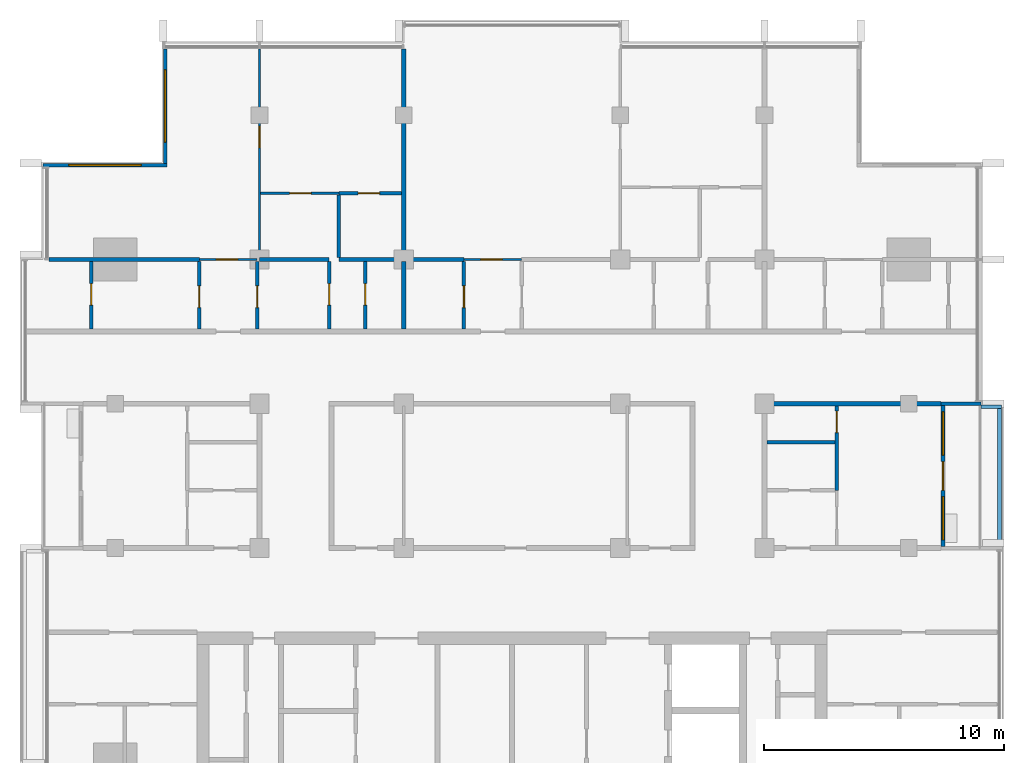
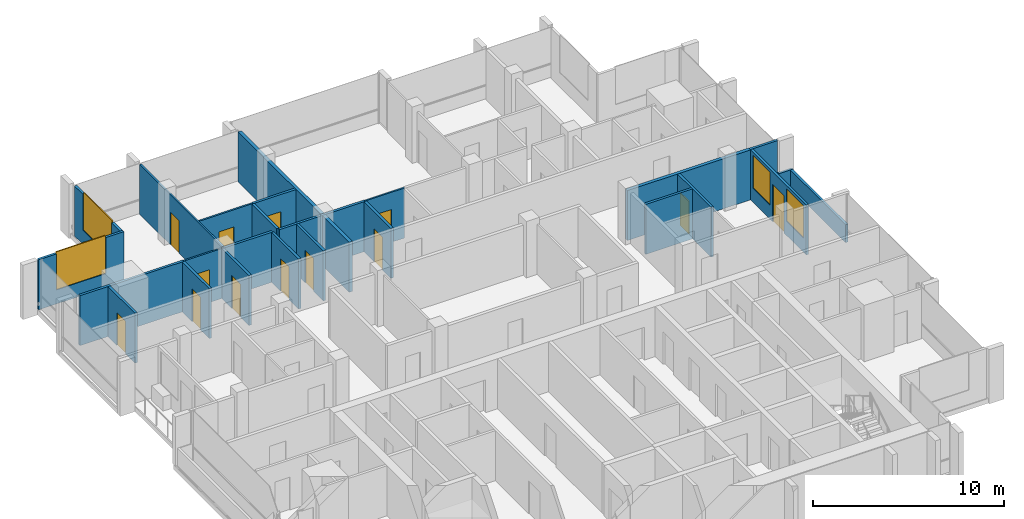
# One storey, part 10 of 16: 26 walls, 13 doors, 4 windows, 17 openings.
"""IFC4 building model written with IfcOpenShell, lengths in metres."""

from ifc_helpers import new_model, si_unit, direction, frame, frame_2d, origin, place, context, subcontext, project, spatial, rectangle, extrude, material, layer, layer_set, type_object, element, fill, save


model = new_model("IFC4")

# Units and contexts
model_context = context("Model", 3, precision=1e-05, world=origin(), true_north=direction((0.0, 1.0)))
body_context = subcontext(model_context, "Body", "Model", "MODEL_VIEW")
ifc_project = project(units=[si_unit("LENGTHUNIT", "METRE"), si_unit("AREAUNIT", "SQUARE_METRE"), si_unit("VOLUMEUNIT", "CUBIC_METRE"), si_unit("PLANEANGLEUNIT", "RADIAN"), si_unit("MASSUNIT", "GRAM", prefix="KILO")], contexts=[model_context])

# Site, building, storey
site_placement = place(None, origin())
site = spatial("IfcSite", under=ifc_project, at=site_placement, CompositionType="ELEMENT")
building_placement = place(site_placement, origin())
building = spatial("IfcBuilding", under=site, at=building_placement, Name="Finial Court Residences", CompositionType="ELEMENT")
storey_placement = place(building_placement, frame((0.0, 0.0, 295.10009765625)))
storey = spatial("IfcBuildingStorey", under=building, at=storey_placement, Name="L75", CompositionType="ELEMENT", Elevation=295.10009765625)

# Walls
ifc_material_1 = material(Name="Gypsum board")
ifc_layer_1 = layer(ifc_material_1, 0.02490234375)
ifc_material_2 = material(Name="Acoustic mineral wool in double frame")
ifc_layer_2 = layer(ifc_material_2, 0.14990234375)
ifc_layer_3 = layer(ifc_material_1, 0.02490234375)
ifc_layer_set_1 = layer_set([ifc_layer_1, ifc_layer_2, ifc_layer_3], Name="Acoustic party wall 200, 1 hour")
wall_type_1 = type_object("IfcWallType", Name="Acoustic party wall 200, 1 hour", PredefinedType="PARTITIONING", material=ifc_layer_set_1)
wall_1_placement = place(storey_placement, frame((-4.5, 4.60009765625, 0.0), z_axis=(0.0, 0.0, 1.0), x_axis=(0.0, 1.0, 0.0)))
element("IfcWall", 1, at=wall_1_placement, inside=storey, type_object=wall_type_1, Name="Partition L75-043", PredefinedType="PARTITIONING", context=body_context, shape_type="SweptSolid", body=[
    extrude(rectangle(XDim=2.824951171875, YDim=0.199951171875, at=frame_2d((1.41259765625, 0.0))), origin(), (0.0, 0.0, 1.0), 3.199951171875),
])
wall_2_placement = place(storey_placement, frame((-4.5, 7.574951171875, 0.0), z_axis=(0.0, 0.0, 1.0), x_axis=(0.0, 1.0, 0.0)))
element("IfcWall", 2, at=wall_2_placement, inside=storey, type_object=wall_type_1, Name="Partition L75-044", PredefinedType="PARTITIONING", context=body_context, shape_type="SweptSolid", body=[
    extrude(rectangle(XDim=8.6875, YDim=0.199951171875, at=frame_2d((4.34375, 0.0))), origin(), (0.0, 0.0, 1.0), 3.199951171875),
])
ifc_layer_4 = layer(ifc_material_1, 0.02490234375)
ifc_layer_5 = layer(ifc_material_2, 0.14990234375)
ifc_layer_6 = layer(ifc_material_1, 0.02490234375)
ifc_layer_set_2 = layer_set([ifc_layer_4, ifc_layer_5, ifc_layer_6], Name="Corridor wall 200, 1 hour")
wall_type_2 = type_object("IfcWallType", Name="Corridor wall 200, 1 hour", PredefinedType="PARTITIONING", material=ifc_layer_set_2)
wall_3_placement = place(storey_placement, frame((10.39990234375, 1.5, 0.0), z_axis=(0.0, 0.0, 1.0), x_axis=(1.0, 0.0, 0.0)))
element("IfcWall", 3, at=wall_3_placement, inside=storey, type_object=wall_type_2, Name="Partition L75-015", PredefinedType="PARTITIONING", context=body_context, shape_type="SweptSolid", body=[
    extrude(rectangle(XDim=7.4501953125, YDim=0.199951171875, at=frame_2d((3.72509765625, 0.0))), origin(), (0.0, 0.0, 1.0), 3.199951171875),
])

# Wall, opening, door
ifc_layer_7 = layer(ifc_material_1, 0.012451171875)
ifc_material_3 = material(Name="Mineral wool in light-gauge frame")
ifc_layer_8 = layer(ifc_material_3, 0.074951171875)
ifc_layer_9 = layer(ifc_material_1, 0.012451171875)
ifc_layer_set_3 = layer_set([ifc_layer_7, ifc_layer_8, ifc_layer_9], Name="Gypsum board partition 100")
wall_type_3 = type_object("IfcWallType", Name="Gypsum board partition 100", PredefinedType="PARTITIONING", material=ifc_layer_set_3)
wall_4_placement = place(storey_placement, frame((-13.0, 7.5, 0.0), z_axis=(0.0, 0.0, 1.0), x_axis=(1.0, 0.0, 0.0)))
wall_4 = element("IfcWall", 4, at=wall_4_placement, inside=storey, type_object=wall_type_3, Name="Partition L75-017", PredefinedType="PARTITIONING", context=body_context, shape_type="SweptSolid", body=[
    extrude(rectangle(XDim=2.39990234375, YDim=0.10009765625, at=frame_2d((1.199951171875, 0.0))), origin(), (0.0, 0.0, 1.0), 3.199951171875),
])
opening_1_placement = place(wall_4_placement, frame((0.699951171875, 0.0, 0.0)))
opening_1 = element("IfcOpeningElement", 5, at=opening_1_placement, cuts=wall_4, Name="Opening L75-D019", PredefinedType="OPENING", context=body_context, shape_type="SweptSolid", body=[
    extrude(rectangle(XDim=0.89990234375, YDim=2.10009765625, at=frame_2d((0.449951171875, 1.050048828125))), frame((0.0, 0.06005859375, 0.0), z_axis=(0.0, -1.0, 0.0), x_axis=(1.0, 0.0, 0.0)), (0.0, 0.0, 1.0), 0.1201171875),
])
ifc_material_4 = material(Name="Timber door leaf in timber frame", Category="wood")
door_type_1 = type_object("IfcDoorType", Name="Door set 900 x 2100", OperationType="SINGLE_SWING_LEFT", PredefinedType="DOOR", material=ifc_material_4)
door_1_placement = place(opening_1_placement, origin())
door_1 = element("IfcDoor", 6, at=door_1_placement, inside=storey, type_object=door_type_1, Name="Door L75-D019", OperationType="SINGLE_SWING_RIGHT", OverallHeight=2.10009765625, OverallWidth=0.89990234375, PredefinedType="DOOR", context=body_context, shape_type="SweptSolid", body=[
    extrude(rectangle(XDim=0.89990234375, YDim=2.10009765625, at=frame_2d((0.449951171875, 1.050048828125))), frame((0.0, 0.02490234375, 0.0), z_axis=(0.0, -1.0, 0.0), x_axis=(1.0, 0.0, 0.0)), (0.0, 0.0, 1.0), 0.050048828125),
])
fill(opening_1, door_1)

wall_5_placement = place(storey_placement, frame((-2.0, 7.5, 0.0), z_axis=(0.0, 0.0, 1.0), x_axis=(1.0, 0.0, 0.0)))
wall_5 = element("IfcWall", 7, at=wall_5_placement, inside=storey, type_object=wall_type_3, Name="Partition L75-018", PredefinedType="PARTITIONING", context=body_context, shape_type="SweptSolid", body=[
    extrude(rectangle(XDim=2.39990234375, YDim=0.10009765625, at=frame_2d((1.199951171875, 0.0))), origin(), (0.0, 0.0, 1.0), 3.199951171875),
])
opening_2_placement = place(wall_5_placement, frame((0.699951171875, 0.0, 0.0)))
opening_2 = element("IfcOpeningElement", 8, at=opening_2_placement, cuts=wall_5, Name="Opening L75-D020", PredefinedType="OPENING", context=body_context, shape_type="SweptSolid", body=[
    extrude(rectangle(XDim=0.89990234375, YDim=2.10009765625, at=frame_2d((0.449951171875, 1.050048828125))), frame((0.0, 0.06005859375, 0.0), z_axis=(0.0, -1.0, 0.0), x_axis=(1.0, 0.0, 0.0)), (0.0, 0.0, 1.0), 0.1201171875),
])
door_2_placement = place(opening_2_placement, origin())
door_2 = element("IfcDoor", 9, at=door_2_placement, inside=storey, type_object=door_type_1, Name="Door L75-D020", OperationType="SINGLE_SWING_LEFT", OverallHeight=2.10009765625, OverallWidth=0.89990234375, PredefinedType="DOOR", context=body_context, shape_type="SweptSolid", body=[
    extrude(rectangle(XDim=0.89990234375, YDim=2.10009765625, at=frame_2d((0.449951171875, 1.050048828125))), frame((0.0, 0.02490234375, 0.0), z_axis=(0.0, -1.0, 0.0), x_axis=(1.0, 0.0, 0.0)), (0.0, 0.0, 1.0), 0.050048828125),
])
fill(opening_2, door_2)

wall_6_placement = place(storey_placement, frame((-10.449951171875, 10.25, 0.0), z_axis=(0.0, 0.0, 1.0), x_axis=(1.0, 0.0, 0.0)))
wall_6 = element("IfcWall", 10, at=wall_6_placement, inside=storey, type_object=wall_type_3, Name="Partition L75-026", PredefinedType="PARTITIONING", context=body_context, shape_type="SweptSolid", body=[
    extrude(rectangle(XDim=3.25, YDim=0.10009765625, at=frame_2d((1.625, 0.0))), origin(), (0.0, 0.0, 1.0), 3.199951171875),
])
opening_3_placement = place(wall_6_placement, frame((1.199951171875, 0.0, 0.0)))
opening_3 = element("IfcOpeningElement", 11, at=opening_3_placement, cuts=wall_6, Name="Opening L75-D022", PredefinedType="OPENING", context=body_context, shape_type="SweptSolid", body=[
    extrude(rectangle(XDim=0.89990234375, YDim=2.10009765625, at=frame_2d((0.449951171875, 1.050048828125))), frame((0.0, 0.06005859375, 0.0), z_axis=(0.0, -1.0, 0.0), x_axis=(1.0, 0.0, 0.0)), (0.0, 0.0, 1.0), 0.1201171875),
])
door_3_placement = place(opening_3_placement, origin())
door_3 = element("IfcDoor", 12, at=door_3_placement, inside=storey, type_object=door_type_1, Name="Door L75-D022", OperationType="SINGLE_SWING_LEFT", OverallHeight=2.10009765625, OverallWidth=0.89990234375, PredefinedType="DOOR", context=body_context, shape_type="SweptSolid", body=[
    extrude(rectangle(XDim=0.89990234375, YDim=2.10009765625, at=frame_2d((0.449951171875, 1.050048828125))), frame((0.0, 0.02490234375, 0.0), z_axis=(0.0, -1.0, 0.0), x_axis=(1.0, 0.0, 0.0)), (0.0, 0.0, 1.0), 0.050048828125),
])
fill(opening_3, door_3)

wall_7_placement = place(storey_placement, frame((-10.5, 7.574951171875, 0.0), z_axis=(0.0, 0.0, 1.0), x_axis=(0.0, 1.0, 0.0)))
wall_7 = element("IfcWall", 13, at=wall_7_placement, inside=storey, type_object=wall_type_3, Name="Partition L75-037", PredefinedType="PARTITIONING", context=body_context, shape_type="SweptSolid", body=[
    extrude(rectangle(XDim=8.6875, YDim=0.10009765625, at=frame_2d((4.34375, 0.0))), origin(), (0.0, 0.0, 1.0), 3.199951171875),
])
opening_4_placement = place(wall_7_placement, frame((4.574951171875, 0.0, 0.0)))
opening_4 = element("IfcOpeningElement", 14, at=opening_4_placement, cuts=wall_7, Name="Opening L75-D031", PredefinedType="OPENING", context=body_context, shape_type="SweptSolid", body=[
    extrude(rectangle(XDim=0.89990234375, YDim=2.10009765625, at=frame_2d((0.449951171875, 1.050048828125))), frame((0.0, 0.06005859375, 0.0), z_axis=(0.0, -1.0, 0.0), x_axis=(1.0, 0.0, 0.0)), (0.0, 0.0, 1.0), 0.1201171875),
])
door_4_placement = place(opening_4_placement, origin())
door_4 = element("IfcDoor", 15, at=door_4_placement, inside=storey, type_object=door_type_1, Name="Door L75-D031", OperationType="SINGLE_SWING_RIGHT", OverallHeight=2.10009765625, OverallWidth=0.89990234375, PredefinedType="DOOR", context=body_context, shape_type="SweptSolid", body=[
    extrude(rectangle(XDim=0.89990234375, YDim=2.10009765625, at=frame_2d((0.449951171875, 1.050048828125))), frame((0.0, 0.02490234375, 0.0), z_axis=(0.0, -1.0, 0.0), x_axis=(1.0, 0.0, 0.0)), (0.0, 0.0, 1.0), 0.050048828125),
])
fill(opening_4, door_4)

# Walls
ifc_material_5 = material(Name="Moisture-resistant gypsum board")
ifc_layer_10 = layer(ifc_material_5, 0.012451171875)
ifc_layer_11 = layer(ifc_material_3, 0.125)
ifc_layer_12 = layer(ifc_material_5, 0.012451171875)
ifc_layer_set_4 = layer_set([ifc_layer_10, ifc_layer_11, ifc_layer_12], Name="Gypsum board wet-area partition 150")
wall_type_4 = type_object("IfcWallType", Name="Gypsum board wet-area partition 150", PredefinedType="PARTITIONING", material=ifc_layer_set_4)
wall_8_placement = place(storey_placement, frame((10.60009765625, -0.10009765625, 0.0), z_axis=(0.0, 0.0, 1.0), x_axis=(1.0, 0.0, 0.0)))
element("IfcWall", 16, at=wall_8_placement, inside=storey, type_object=wall_type_4, Name="Partition L75-012", PredefinedType="PARTITIONING", context=body_context, shape_type="SweptSolid", body=[
    extrude(rectangle(XDim=2.824951171875, YDim=0.14990234375, at=frame_2d((1.41259765625, 0.0))), origin(), (0.0, 0.0, 1.0), 3.199951171875),
])
wall_9_placement = place(storey_placement, frame((-19.262451171875, 7.5, 0.0), z_axis=(0.0, 0.0, 1.0), x_axis=(1.0, 0.0, 0.0)))
element("IfcWall", 17, at=wall_9_placement, inside=storey, type_object=wall_type_4, Name="Partition L75-020", PredefinedType="PARTITIONING", context=body_context, shape_type="SweptSolid", body=[
    extrude(rectangle(XDim=6.262451171875, YDim=0.14990234375, at=frame_2d((3.13134765625, 0.0))), origin(), (0.0, 0.0, 1.0), 3.199951171875),
])
wall_10_placement = place(storey_placement, frame((-10.5, 7.5, 0.0), z_axis=(0.0, 0.0, 1.0), x_axis=(1.0, 0.0, 0.0)))
element("IfcWall", 18, at=wall_10_placement, inside=storey, type_object=wall_type_4, Name="Partition L75-021", PredefinedType="PARTITIONING", context=body_context, shape_type="SweptSolid", body=[
    extrude(rectangle(XDim=2.89990234375, YDim=0.14990234375, at=frame_2d((1.449951171875, 0.0))), origin(), (0.0, 0.0, 1.0), 3.199951171875),
])
wall_11_placement = place(storey_placement, frame((-7.199951171875, 7.5, 0.0), z_axis=(0.0, 0.0, 1.0), x_axis=(1.0, 0.0, 0.0)))
element("IfcWall", 19, at=wall_11_placement, inside=storey, type_object=wall_type_4, Name="Partition L75-022", PredefinedType="PARTITIONING", context=body_context, shape_type="SweptSolid", body=[
    extrude(rectangle(XDim=5.199951171875, YDim=0.14990234375, at=frame_2d((2.60009765625, 0.0))), origin(), (0.0, 0.0, 1.0), 3.199951171875),
])

# Wall, opening, door
wall_12_placement = place(storey_placement, frame((-7.199951171875, 10.25, 0.0), z_axis=(0.0, 0.0, 1.0), x_axis=(1.0, 0.0, 0.0)))
wall_12 = element("IfcWall", 20, at=wall_12_placement, inside=storey, type_object=wall_type_4, Name="Partition L75-027", PredefinedType="PARTITIONING", context=body_context, shape_type="SweptSolid", body=[
    extrude(rectangle(XDim=2.599853515625, YDim=0.14990234375, at=frame_2d((1.2998046875, 0.0))), origin(), (0.0, 0.0, 1.0), 3.199951171875),
])
opening_5_placement = place(wall_12_placement, frame((0.800048828125, 0.0, 0.0)))
opening_5 = element("IfcOpeningElement", 21, at=opening_5_placement, cuts=wall_12, Name="Opening L75-D023", PredefinedType="OPENING", context=body_context, shape_type="SweptSolid", body=[
    extrude(rectangle(XDim=0.89990234375, YDim=2.10009765625, at=frame_2d((0.449951171875, 1.050048828125))), frame((0.0, 0.0849609375, 0.0), z_axis=(0.0, -1.0, 0.0), x_axis=(1.0, 0.0, 0.0)), (0.0, 0.0, 1.0), 0.169921875),
])
door_5_placement = place(opening_5_placement, origin())
door_5 = element("IfcDoor", 22, at=door_5_placement, inside=storey, type_object=door_type_1, Name="Door L75-D023", OperationType="SINGLE_SWING_LEFT", OverallHeight=2.10009765625, OverallWidth=0.89990234375, PredefinedType="DOOR", context=body_context, shape_type="SweptSolid", body=[
    extrude(rectangle(XDim=0.89990234375, YDim=2.10009765625, at=frame_2d((0.449951171875, 1.050048828125))), frame((0.0, 0.02490234375, 0.0), z_axis=(0.0, -1.0, 0.0), x_axis=(1.0, 0.0, 0.0)), (0.0, 0.0, 1.0), 0.050048828125),
])
fill(opening_5, door_5)

wall_13_placement = place(storey_placement, frame((-17.5, 4.60009765625, 0.0), z_axis=(0.0, 0.0, 1.0), x_axis=(0.0, 1.0, 0.0)))
wall_13 = element("IfcWall", 23, at=wall_13_placement, inside=storey, type_object=wall_type_4, Name="Partition L75-030", PredefinedType="PARTITIONING", context=body_context, shape_type="SweptSolid", body=[
    extrude(rectangle(XDim=2.824951171875, YDim=0.14990234375, at=frame_2d((1.41259765625, 0.0))), origin(), (0.0, 0.0, 1.0), 3.199951171875),
])
opening_6_placement = place(wall_13_placement, frame((1.0, 0.0, 0.0)))
opening_6 = element("IfcOpeningElement", 24, at=opening_6_placement, cuts=wall_13, Name="Opening L75-D026", PredefinedType="OPENING", context=body_context, shape_type="SweptSolid", body=[
    extrude(rectangle(XDim=0.89990234375, YDim=2.10009765625, at=frame_2d((0.449951171875, 1.050048828125))), frame((0.0, 0.0849609375, 0.0), z_axis=(0.0, -1.0, 0.0), x_axis=(1.0, 0.0, 0.0)), (0.0, 0.0, 1.0), 0.169921875),
])
door_6_placement = place(opening_6_placement, origin())
door_6 = element("IfcDoor", 25, at=door_6_placement, inside=storey, type_object=door_type_1, Name="Door L75-D026", OperationType="SINGLE_SWING_RIGHT", OverallHeight=2.10009765625, OverallWidth=0.89990234375, PredefinedType="DOOR", context=body_context, shape_type="SweptSolid", body=[
    extrude(rectangle(XDim=0.89990234375, YDim=2.10009765625, at=frame_2d((0.449951171875, 1.050048828125))), frame((0.0, 0.02490234375, 0.0), z_axis=(0.0, -1.0, 0.0), x_axis=(1.0, 0.0, 0.0)), (0.0, 0.0, 1.0), 0.050048828125),
])
fill(opening_6, door_6)

wall_14_placement = place(storey_placement, frame((-13.0, 4.60009765625, 0.0), z_axis=(0.0, 0.0, 1.0), x_axis=(0.0, 1.0, 0.0)))
wall_14 = element("IfcWall", 26, at=wall_14_placement, inside=storey, type_object=wall_type_4, Name="Partition L75-034", PredefinedType="PARTITIONING", context=body_context, shape_type="SweptSolid", body=[
    extrude(rectangle(XDim=2.824951171875, YDim=0.14990234375, at=frame_2d((1.41259765625, 0.0))), origin(), (0.0, 0.0, 1.0), 3.199951171875),
])
opening_7_placement = place(wall_14_placement, frame((0.89990234375, 0.0, 0.0)))
opening_7 = element("IfcOpeningElement", 27, at=opening_7_placement, cuts=wall_14, Name="Opening L75-D029", PredefinedType="OPENING", context=body_context, shape_type="SweptSolid", body=[
    extrude(rectangle(XDim=0.89990234375, YDim=2.10009765625, at=frame_2d((0.449951171875, 1.050048828125))), frame((0.0, 0.0849609375, 0.0), z_axis=(0.0, -1.0, 0.0), x_axis=(1.0, 0.0, 0.0)), (0.0, 0.0, 1.0), 0.169921875),
])
door_7_placement = place(opening_7_placement, origin())
door_7 = element("IfcDoor", 28, at=door_7_placement, inside=storey, type_object=door_type_1, Name="Door L75-D029", OperationType="SINGLE_SWING_RIGHT", OverallHeight=2.10009765625, OverallWidth=0.89990234375, PredefinedType="DOOR", context=body_context, shape_type="SweptSolid", body=[
    extrude(rectangle(XDim=0.89990234375, YDim=2.10009765625, at=frame_2d((0.449951171875, 1.050048828125))), frame((0.0, 0.02490234375, 0.0), z_axis=(0.0, -1.0, 0.0), x_axis=(1.0, 0.0, 0.0)), (0.0, 0.0, 1.0), 0.050048828125),
])
fill(opening_7, door_7)

wall_15_placement = place(storey_placement, frame((-10.60009765625, 4.60009765625, 0.0), z_axis=(0.0, 0.0, 1.0), x_axis=(0.0, 1.0, 0.0)))
wall_15 = element("IfcWall", 29, at=wall_15_placement, inside=storey, type_object=wall_type_4, Name="Partition L75-035", PredefinedType="PARTITIONING", context=body_context, shape_type="SweptSolid", body=[
    extrude(rectangle(XDim=2.824951171875, YDim=0.14990234375, at=frame_2d((1.41259765625, 0.0))), origin(), (0.0, 0.0, 1.0), 3.199951171875),
])
opening_8_placement = place(wall_15_placement, frame((0.89990234375, 0.0, 0.0)))
opening_8 = element("IfcOpeningElement", 30, at=opening_8_placement, cuts=wall_15, Name="Opening L75-D030", PredefinedType="OPENING", context=body_context, shape_type="SweptSolid", body=[
    extrude(rectangle(XDim=0.89990234375, YDim=2.10009765625, at=frame_2d((0.449951171875, 1.050048828125))), frame((0.0, 0.0849609375, 0.0), z_axis=(0.0, -1.0, 0.0), x_axis=(1.0, 0.0, 0.0)), (0.0, 0.0, 1.0), 0.169921875),
])
door_8_placement = place(opening_8_placement, origin())
door_8 = element("IfcDoor", 31, at=door_8_placement, inside=storey, type_object=door_type_1, Name="Door L75-D030", OperationType="SINGLE_SWING_RIGHT", OverallHeight=2.10009765625, OverallWidth=0.89990234375, PredefinedType="DOOR", context=body_context, shape_type="SweptSolid", body=[
    extrude(rectangle(XDim=0.89990234375, YDim=2.10009765625, at=frame_2d((0.449951171875, 1.050048828125))), frame((0.0, 0.02490234375, 0.0), z_axis=(0.0, -1.0, 0.0), x_axis=(1.0, 0.0, 0.0)), (0.0, 0.0, 1.0), 0.050048828125),
])
fill(opening_8, door_8)

wall_16_placement = place(storey_placement, frame((-7.60009765625, 4.60009765625, 0.0), z_axis=(0.0, 0.0, 1.0), x_axis=(0.0, 1.0, 0.0)))
wall_16 = element("IfcWall", 32, at=wall_16_placement, inside=storey, type_object=wall_type_4, Name="Partition L75-038", PredefinedType="PARTITIONING", context=body_context, shape_type="SweptSolid", body=[
    extrude(rectangle(XDim=2.824951171875, YDim=0.14990234375, at=frame_2d((1.41259765625, 0.0))), origin(), (0.0, 0.0, 1.0), 3.199951171875),
])
opening_9_placement = place(wall_16_placement, frame((1.0, 0.0, 0.0)))
opening_9 = element("IfcOpeningElement", 33, at=opening_9_placement, cuts=wall_16, Name="Opening L75-D032", PredefinedType="OPENING", context=body_context, shape_type="SweptSolid", body=[
    extrude(rectangle(XDim=0.89990234375, YDim=2.10009765625, at=frame_2d((0.449951171875, 1.050048828125))), frame((0.0, 0.0849609375, 0.0), z_axis=(0.0, -1.0, 0.0), x_axis=(1.0, 0.0, 0.0)), (0.0, 0.0, 1.0), 0.169921875),
])
door_9_placement = place(opening_9_placement, origin())
door_9 = element("IfcDoor", 34, at=door_9_placement, inside=storey, type_object=door_type_1, Name="Door L75-D032", OperationType="SINGLE_SWING_RIGHT", OverallHeight=2.10009765625, OverallWidth=0.89990234375, PredefinedType="DOOR", context=body_context, shape_type="SweptSolid", body=[
    extrude(rectangle(XDim=0.89990234375, YDim=2.10009765625, at=frame_2d((0.449951171875, 1.050048828125))), frame((0.0, 0.02490234375, 0.0), z_axis=(0.0, -1.0, 0.0), x_axis=(1.0, 0.0, 0.0)), (0.0, 0.0, 1.0), 0.050048828125),
])
fill(opening_9, door_9)

# Wall
wall_17_placement = place(storey_placement, frame((-7.199951171875, 7.574951171875, 0.0), z_axis=(0.0, 0.0, 1.0), x_axis=(0.0, 1.0, 0.0)))
element("IfcWall", 35, at=wall_17_placement, inside=storey, type_object=wall_type_4, Name="Partition L75-040", PredefinedType="PARTITIONING", context=body_context, shape_type="SweptSolid", body=[
    extrude(rectangle(XDim=2.60009765625, YDim=0.14990234375, at=frame_2d((1.300048828125, 0.0))), origin(), (0.0, 0.0, 1.0), 3.199951171875),
])

# Wall, opening, door
wall_18_placement = place(storey_placement, frame((-6.10009765625, 4.60009765625, 0.0), z_axis=(0.0, 0.0, 1.0), x_axis=(0.0, 1.0, 0.0)))
wall_18 = element("IfcWall", 36, at=wall_18_placement, inside=storey, type_object=wall_type_4, Name="Partition L75-041", PredefinedType="PARTITIONING", context=body_context, shape_type="SweptSolid", body=[
    extrude(rectangle(XDim=2.824951171875, YDim=0.14990234375, at=frame_2d((1.41259765625, 0.0))), origin(), (0.0, 0.0, 1.0), 3.199951171875),
])
opening_10_placement = place(wall_18_placement, frame((1.0, 0.0, 0.0)))
opening_10 = element("IfcOpeningElement", 37, at=opening_10_placement, cuts=wall_18, Name="Opening L75-D033", PredefinedType="OPENING", context=body_context, shape_type="SweptSolid", body=[
    extrude(rectangle(XDim=0.89990234375, YDim=2.10009765625, at=frame_2d((0.449951171875, 1.050048828125))), frame((0.0, 0.0849609375, 0.0), z_axis=(0.0, -1.0, 0.0), x_axis=(1.0, 0.0, 0.0)), (0.0, 0.0, 1.0), 0.169921875),
])
door_10_placement = place(opening_10_placement, origin())
door_10 = element("IfcDoor", 38, at=door_10_placement, inside=storey, type_object=door_type_1, Name="Door L75-D033", OperationType="SINGLE_SWING_RIGHT", OverallHeight=2.10009765625, OverallWidth=0.89990234375, PredefinedType="DOOR", context=body_context, shape_type="SweptSolid", body=[
    extrude(rectangle(XDim=0.89990234375, YDim=2.10009765625, at=frame_2d((0.449951171875, 1.050048828125))), frame((0.0, 0.02490234375, 0.0), z_axis=(0.0, -1.0, 0.0), x_axis=(1.0, 0.0, 0.0)), (0.0, 0.0, 1.0), 0.050048828125),
])
fill(opening_10, door_10)

wall_19_placement = place(storey_placement, frame((-2.0, 4.60009765625, 0.0), z_axis=(0.0, 0.0, 1.0), x_axis=(0.0, 1.0, 0.0)))
wall_19 = element("IfcWall", 39, at=wall_19_placement, inside=storey, type_object=wall_type_4, Name="Partition L75-045", PredefinedType="PARTITIONING", context=body_context, shape_type="SweptSolid", body=[
    extrude(rectangle(XDim=2.824951171875, YDim=0.14990234375, at=frame_2d((1.41259765625, 0.0))), origin(), (0.0, 0.0, 1.0), 3.199951171875),
])
opening_11_placement = place(wall_19_placement, frame((0.89990234375, 0.0, 0.0)))
opening_11 = element("IfcOpeningElement", 40, at=opening_11_placement, cuts=wall_19, Name="Opening L75-D034", PredefinedType="OPENING", context=body_context, shape_type="SweptSolid", body=[
    extrude(rectangle(XDim=0.89990234375, YDim=2.10009765625, at=frame_2d((0.449951171875, 1.050048828125))), frame((0.0, 0.0849609375, 0.0), z_axis=(0.0, -1.0, 0.0), x_axis=(1.0, 0.0, 0.0)), (0.0, 0.0, 1.0), 0.169921875),
])
door_11_placement = place(opening_11_placement, origin())
door_11 = element("IfcDoor", 41, at=door_11_placement, inside=storey, type_object=door_type_1, Name="Door L75-D034", OperationType="SINGLE_SWING_RIGHT", OverallHeight=2.10009765625, OverallWidth=0.89990234375, PredefinedType="DOOR", context=body_context, shape_type="SweptSolid", body=[
    extrude(rectangle(XDim=0.89990234375, YDim=2.10009765625, at=frame_2d((0.449951171875, 1.050048828125))), frame((0.0, 0.02490234375, 0.0), z_axis=(0.0, -1.0, 0.0), x_axis=(1.0, 0.0, 0.0)), (0.0, 0.0, 1.0), 0.050048828125),
])
fill(opening_11, door_11)

wall_20_placement = place(storey_placement, frame((13.5, -2.10009765625, 0.0), z_axis=(0.0, 0.0, 1.0), x_axis=(0.0, 1.0, 0.0)))
wall_20 = element("IfcWall", 42, at=wall_20_placement, inside=storey, type_object=wall_type_4, Name="Partition L75-058", PredefinedType="PARTITIONING", context=body_context, shape_type="SweptSolid", body=[
    extrude(rectangle(XDim=3.5, YDim=0.14990234375, at=frame_2d((1.75, 0.0))), origin(), (0.0, 0.0, 1.0), 3.199951171875),
])
opening_12_placement = place(wall_20_placement, frame((2.39990234375, 0.0, 0.0)))
opening_12 = element("IfcOpeningElement", 43, at=opening_12_placement, cuts=wall_20, Name="Opening L75-D041", PredefinedType="OPENING", context=body_context, shape_type="SweptSolid", body=[
    extrude(rectangle(XDim=0.89990234375, YDim=2.10009765625, at=frame_2d((0.449951171875, 1.050048828125))), frame((0.0, 0.0849609375, 0.0), z_axis=(0.0, -1.0, 0.0), x_axis=(1.0, 0.0, 0.0)), (0.0, 0.0, 1.0), 0.169921875),
])
door_12_placement = place(opening_12_placement, origin())
door_12 = element("IfcDoor", 44, at=door_12_placement, inside=storey, type_object=door_type_1, Name="Door L75-D041", OperationType="SINGLE_SWING_LEFT", OverallHeight=2.10009765625, OverallWidth=0.89990234375, PredefinedType="DOOR", context=body_context, shape_type="SweptSolid", body=[
    extrude(rectangle(XDim=0.89990234375, YDim=2.10009765625, at=frame_2d((0.449951171875, 1.050048828125))), frame((0.0, 0.02490234375, 0.0), z_axis=(0.0, -1.0, 0.0), x_axis=(1.0, 0.0, 0.0)), (0.0, 0.0, 1.0), 0.050048828125),
])
fill(opening_12, door_12)

# Walls
ifc_material_6 = material(Name="Concrete C35/45", Category="concrete")
ifc_layer_13 = layer(ifc_material_6, 0.14990234375)
ifc_layer_set_5 = layer_set([ifc_layer_13], Name="Ledge parapet, Concrete C35/45 150")
wall_type_5 = type_object("IfcWallType", Name="Ledge parapet, Concrete C35/45 150", PredefinedType="PARAPET", material=ifc_layer_set_5)
wall_21_placement = place(storey_placement, frame((19.510009765625, 1.375, 0.0), z_axis=(0.0, 0.0, 1.0), x_axis=(1.0, 0.0, 0.0)))
element("IfcWall", 45, at=wall_21_placement, inside=storey, type_object=wall_type_5, Name="E-L75-LED1-P1", PredefinedType="PARAPET", context=body_context, shape_type="SweptSolid", body=[
    extrude(rectangle(XDim=0.840087890625, YDim=0.14990234375, at=frame_2d((0.419921875, 0.0))), origin(), (0.0, 0.0, 1.0), 1.14990234375),
])
wall_22_placement = place(storey_placement, frame((20.27490234375, 1.300048828125, 0.0), z_axis=(0.0, 0.0, 1.0), x_axis=(0.0, -1.0, 0.0)))
element("IfcWall", 46, at=wall_22_placement, inside=storey, type_object=wall_type_5, Name="E-L75-LED1-P2", PredefinedType="PARAPET", context=body_context, shape_type="SweptSolid", body=[
    extrude(rectangle(XDim=5.7900390625, YDim=0.14990234375, at=frame_2d((2.89501953125, 0.0))), origin(), (0.0, 0.0, 1.0), 1.14990234375),
])

# Wall, opening, window
ifc_material_7 = material(Name="Natural limestone", Category="masonry")
ifc_layer_14 = layer(ifc_material_7, 0.14990234375)
ifc_layer_set_6 = layer_set([ifc_layer_14], Name="Limestone clad wall 150")
wall_type_6 = type_object("IfcWallType", Name="Limestone clad wall 150", PredefinedType="SOLIDWALL", material=ifc_layer_set_6)
wall_23_placement = place(storey_placement, frame((-14.425048828125, 11.5, 0.0), z_axis=(0.0, 0.0, 1.0), x_axis=(0.0, 1.0, 0.0)))
wall_23 = element("IfcWall", 47, at=wall_23_placement, inside=storey, type_object=wall_type_6, Name="E-L75-NWW16", PredefinedType="SOLIDWALL", context=body_context, shape_type="SweptSolid", body=[
    extrude(rectangle(XDim=4.762451171875, YDim=0.14990234375, at=frame_2d((2.38134765625, 0.0))), origin(), (0.0, 0.0, 1.0), 3.199951171875),
])
opening_13_placement = place(wall_23_placement, frame((0.881103515625, 0.0, 0.89990234375)))
opening_13 = element("IfcOpeningElement", 48, at=opening_13_placement, cuts=wall_23, Name="Opening WE75-05", PredefinedType="OPENING", context=body_context, shape_type="SweptSolid", body=[
    extrude(rectangle(XDim=3.0, YDim=2.39990234375, at=frame_2d((1.5, 1.199951171875))), frame((0.0, 0.0849609375, 0.0), z_axis=(0.0, -1.0, 0.0), x_axis=(1.0, 0.0, 0.0)), (0.0, 0.0, 1.0), 0.169921875),
])
ifc_material_8 = material(Name="Clear low-e glass", Category="glass")
window_type_1 = type_object("IfcWindowType", Name="Corner window 3000 x 2400", PartitioningType="SINGLE_PANEL", PredefinedType="WINDOW", material=ifc_material_8)
window_1_placement = place(opening_13_placement, origin())
window_1 = element("IfcWindow", 49, at=window_1_placement, inside=storey, type_object=window_type_1, Name="E-L75-NWW16-W1", OverallHeight=2.39990234375, OverallWidth=3.0, PartitioningType="SINGLE_PANEL", PredefinedType="WINDOW", context=body_context, shape_type="SweptSolid", body=[
    extrude(rectangle(XDim=3.0, YDim=2.39990234375, at=frame_2d((1.5, 1.199951171875))), frame((0.0, 0.030029296875, 0.0), z_axis=(0.0, -1.0, 0.0), x_axis=(1.0, 0.0, 0.0)), (0.0, 0.0, 1.0), 0.06005859375),
])
fill(opening_13, window_1)

wall_24_placement = place(storey_placement, frame((-19.5, 11.425048828125, 0.0), z_axis=(0.0, 0.0, 1.0), x_axis=(1.0, 0.0, 0.0)))
wall_24 = element("IfcWall", 50, at=wall_24_placement, inside=storey, type_object=wall_type_6, Name="E-L75-NWN17", PredefinedType="SOLIDWALL", context=body_context, shape_type="SweptSolid", body=[
    extrude(rectangle(XDim=5.14990234375, YDim=0.14990234375, at=frame_2d((2.574951171875, 0.0))), origin(), (0.0, 0.0, 1.0), 3.199951171875),
])
opening_14_placement = place(wall_24_placement, frame((1.074951171875, 0.0, 0.89990234375)))
opening_14 = element("IfcOpeningElement", 51, at=opening_14_placement, cuts=wall_24, Name="Opening WE75-06", PredefinedType="OPENING", context=body_context, shape_type="SweptSolid", body=[
    extrude(rectangle(XDim=3.0, YDim=2.39990234375, at=frame_2d((1.5, 1.199951171875))), frame((0.0, 0.0849609375, 0.0), z_axis=(0.0, -1.0, 0.0), x_axis=(1.0, 0.0, 0.0)), (0.0, 0.0, 1.0), 0.169921875),
])
window_2_placement = place(opening_14_placement, origin())
window_2 = element("IfcWindow", 52, at=window_2_placement, inside=storey, type_object=window_type_1, Name="E-L75-NWN17-W1", OverallHeight=2.39990234375, OverallWidth=3.0, PartitioningType="SINGLE_PANEL", PredefinedType="WINDOW", context=body_context, shape_type="SweptSolid", body=[
    extrude(rectangle(XDim=3.0, YDim=2.39990234375, at=frame_2d((1.5, 1.199951171875))), frame((0.0, 0.030029296875, 0.0), z_axis=(0.0, -1.0, 0.0), x_axis=(1.0, 0.0, 0.0)), (0.0, 0.0, 1.0), 0.06005859375),
])
fill(opening_14, window_2)

# Wall
wall_25_placement = place(storey_placement, frame((17.85009765625, 1.5, 0.0), z_axis=(0.0, 0.0, 1.0), x_axis=(1.0, 0.0, 0.0)))
element("IfcWall", 53, at=wall_25_placement, inside=storey, type_object=wall_type_6, Name="E-L75-BALE3-P2", PredefinedType="SOLIDWALL", context=body_context, shape_type="SweptSolid", body=[
    extrude(rectangle(XDim=1.64990234375, YDim=0.14990234375, at=frame_2d((0.824951171875, 0.0))), origin(), (0.0, 0.0, 1.0), 3.199951171875),
])

# Wall, openings, door, windows
wall_26_placement = place(storey_placement, frame((17.925048828125, 1.425048828125, 0.0), z_axis=(0.0, 0.0, 1.0), x_axis=(0.0, -1.0, 0.0)))
wall_26 = element("IfcWall", 54, at=wall_26_placement, inside=storey, type_object=wall_type_6, Name="E-L75-L75-BALE3-W", PredefinedType="SOLIDWALL", context=body_context, shape_type="SweptSolid", body=[
    extrude(rectangle(XDim=5.85009765625, YDim=0.14990234375, at=frame_2d((2.925048828125, 0.0))), origin(), (0.0, 0.0, 1.0), 3.199951171875),
])
opening_15_placement = place(wall_26_placement, frame((2.324951171875, 0.0, 0.0)))
opening_15 = element("IfcOpeningElement", 55, at=opening_15_placement, cuts=wall_26, Name="Opening DE75-01", PredefinedType="OPENING", context=body_context, shape_type="SweptSolid", body=[
    extrude(rectangle(XDim=1.199951171875, YDim=2.39990234375, at=frame_2d((0.60009765625, 1.199951171875))), frame((0.0, 0.0849609375, 0.0), z_axis=(0.0, -1.0, 0.0), x_axis=(1.0, 0.0, 0.0)), (0.0, 0.0, 1.0), 0.169921875),
])
opening_16_placement = place(wall_26_placement, frame((3.78759765625, 0.0, 0.89990234375)))
opening_16 = element("IfcOpeningElement", 56, at=opening_16_placement, cuts=wall_26, Name="Opening WE75-09", PredefinedType="OPENING", context=body_context, shape_type="SweptSolid", body=[
    extrude(rectangle(XDim=1.800048828125, YDim=2.10009765625, at=frame_2d((0.89990234375, 1.050048828125))), frame((0.0, 0.0849609375, 0.0), z_axis=(0.0, -1.0, 0.0), x_axis=(1.0, 0.0, 0.0)), (0.0, 0.0, 1.0), 0.169921875),
])
opening_17_placement = place(wall_26_placement, frame((0.262451171875, 0.0, 0.89990234375)))
opening_17 = element("IfcOpeningElement", 57, at=opening_17_placement, cuts=wall_26, Name="Opening WE75-10", PredefinedType="OPENING", context=body_context, shape_type="SweptSolid", body=[
    extrude(rectangle(XDim=1.800048828125, YDim=2.10009765625, at=frame_2d((0.89990234375, 1.050048828125))), frame((0.0, 0.0849609375, 0.0), z_axis=(0.0, -1.0, 0.0), x_axis=(1.0, 0.0, 0.0)), (0.0, 0.0, 1.0), 0.169921875),
])
ifc_material_9 = material(Name="Bronze anodised aluminium", Category="aluminium")
door_type_2 = type_object("IfcDoorType", Name="Balcony door 1200 x 2400", OperationType="SINGLE_SWING_LEFT", PredefinedType="DOOR", material=ifc_material_9)
door_13_placement = place(opening_15_placement, origin())
door_13 = element("IfcDoor", 58, at=door_13_placement, inside=storey, type_object=door_type_2, Name="E-L75-L75-BALE3-W-D", OperationType="SINGLE_SWING_RIGHT", OverallHeight=2.39990234375, OverallWidth=1.199951171875, PredefinedType="DOOR", context=body_context, shape_type="SweptSolid", body=[
    extrude(rectangle(XDim=1.199951171875, YDim=2.39990234375, at=frame_2d((0.60009765625, 1.199951171875))), frame((0.0, 0.02490234375, 0.0), z_axis=(0.0, -1.0, 0.0), x_axis=(1.0, 0.0, 0.0)), (0.0, 0.0, 1.0), 0.050048828125),
])
fill(opening_15, door_13)
window_type_2 = type_object("IfcWindowType", Name="Balcony window 1800 x 2100", PartitioningType="SINGLE_PANEL", PredefinedType="WINDOW", material=ifc_material_8)
window_3_placement = place(opening_16_placement, origin())
window_3 = element("IfcWindow", 59, at=window_3_placement, inside=storey, type_object=window_type_2, Name="E-L75-L75-BALE3-W-W1", OverallHeight=2.10009765625, OverallWidth=1.800048828125, PartitioningType="SINGLE_PANEL", PredefinedType="WINDOW", context=body_context, shape_type="SweptSolid", body=[
    extrude(rectangle(XDim=1.800048828125, YDim=2.10009765625, at=frame_2d((0.89990234375, 1.050048828125))), frame((0.0, 0.030029296875, 0.0), z_axis=(0.0, -1.0, 0.0), x_axis=(1.0, 0.0, 0.0)), (0.0, 0.0, 1.0), 0.06005859375),
])
fill(opening_16, window_3)
window_4_placement = place(opening_17_placement, origin())
window_4 = element("IfcWindow", 60, at=window_4_placement, inside=storey, type_object=window_type_2, Name="E-L75-L75-BALE3-W-W2", OverallHeight=2.10009765625, OverallWidth=1.800048828125, PartitioningType="SINGLE_PANEL", PredefinedType="WINDOW", context=body_context, shape_type="SweptSolid", body=[
    extrude(rectangle(XDim=1.800048828125, YDim=2.10009765625, at=frame_2d((0.89990234375, 1.050048828125))), frame((0.0, 0.030029296875, 0.0), z_axis=(0.0, -1.0, 0.0), x_axis=(1.0, 0.0, 0.0)), (0.0, 0.0, 1.0), 0.06005859375),
])
fill(opening_17, window_4)

save(model, "model.ifc")
